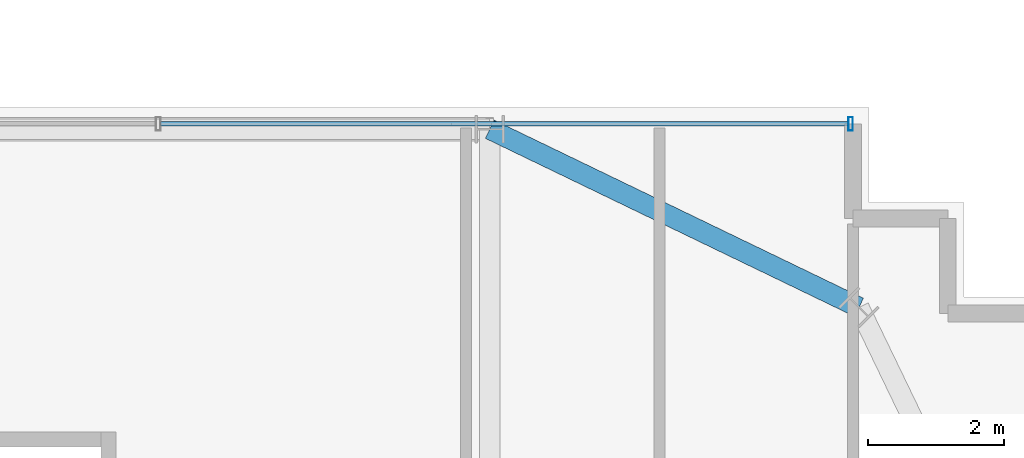
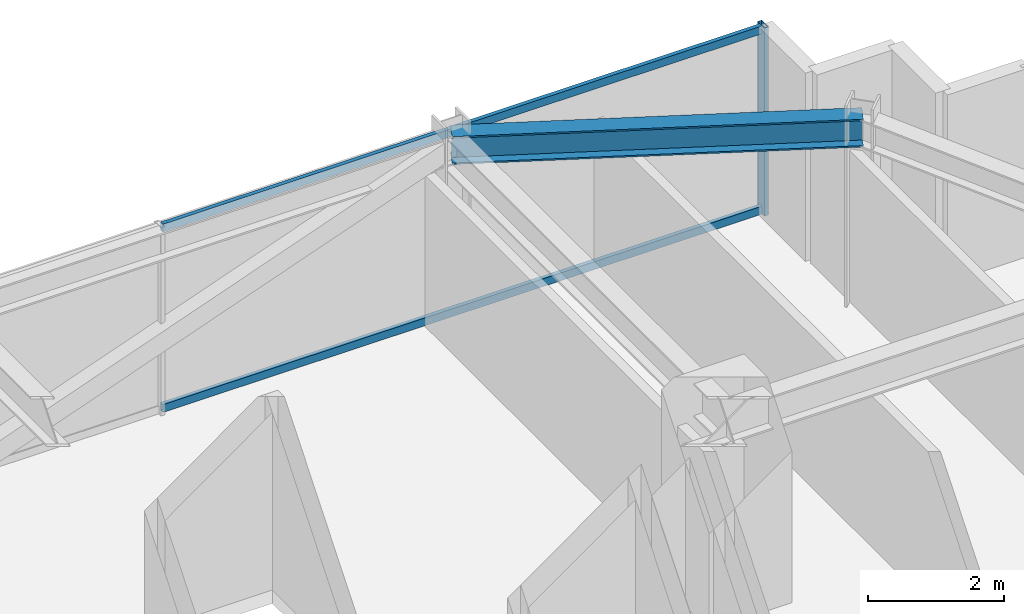
# One storey, part 33 of 42: 3 members, 1 beam, 1 element without a shape of its own.
"""IFC4 building model written with IfcOpenShell, lengths in metres."""

from ifc_helpers import new_model, si_unit, direction, frame, origin, origin_2d, place, context, subcontext, project, spatial, hollow_rectangle, i_section, extrude, source, transform, mapped, material, material_profile, profile_set, type_object, element, aggregate, save


model = new_model("IFC4")

# Units and contexts
model_context = context("Model", 3, precision=1e-05, world=origin(), true_north=direction((0.0, 1.0)))
body_context = subcontext(model_context, "Body", "Model", "MODEL_VIEW")
ifc_project = project(units=[si_unit("LENGTHUNIT", "METRE"), si_unit("AREAUNIT", "SQUARE_METRE"), si_unit("VOLUMEUNIT", "CUBIC_METRE"), si_unit("PLANEANGLEUNIT", "RADIAN"), si_unit("MASSUNIT", "GRAM", prefix="KILO")], contexts=[model_context])

# Site, building, storey
site_placement = place(None, origin())
site = spatial("IfcSite", under=ifc_project, at=site_placement, CompositionType="ELEMENT")
building_placement = place(site_placement, origin())
building = spatial("IfcBuilding", under=site, at=building_placement, Name="Nahalor Promenade Grand Hotel", CompositionType="ELEMENT")
storey_placement = place(building_placement, frame((0.0, 0.0, 61.60009765625)))
storey = spatial("IfcBuildingStorey", under=building, at=storey_placement, Name="L14", CompositionType="ELEMENT", Elevation=61.60009765625)

# Beam
ifc_material_1 = material(Name="Steel S355JR", Category="steel")
ifc_material_profile_1 = material_profile(ifc_material_1, i_section(OverallWidth=0.3, OverallDepth=0.5, WebThickness=0.0145, FlangeThickness=0.028, at=origin_2d()), Name="HEB 500")
ifc_profile_set_1 = profile_set([ifc_material_profile_1], Name="Steel S355JR")
beam_type = type_object("IfcBeamType", Name="Beam-Spandrel-HEB500", PredefinedType="SPANDREL", material=ifc_profile_set_1)
shared_shape_1 = source(origin(), body_context, "Body", "SweptSolid", [
    extrude(i_section(OverallWidth=0.3, OverallDepth=0.5, WebThickness=0.0145, FlangeThickness=0.028, at=origin_2d()), origin(), (0.0, 0.0, 1.0), 6.051513671875),
])
beam_placement = place(storey_placement, frame((17.0, 25.080078125, 3.119873046875), z_axis=(0.900608818852, -0.434630596492, 0.0), x_axis=(0.434630596492, 0.900608818852, 0.0)))
element("IfcBeam", 1, at=beam_placement, inside=storey, type_object=beam_type, Name="BM-L14-SPC-NE-1", PredefinedType="SPANDREL", context=body_context, shape_type="MappedRepresentation", body=[
    mapped(shared_shape_1, transform((0.0, 0.0, 0.0), scale=1.0)),
])

# Curtain wall, members
ifc_material_2 = material(Name="Anodised Bronze Aluminium EN AW-6063 T6", Category="aluminium")
curtain_wall_type = type_object("IfcCurtainWallType", Name="CW3 Elliptical-Void Collar Unitised Curtain Wall", PredefinedType="USERDEFINED", material=ifc_material_2)
curtain_wall_placement = place(storey_placement, origin())
curtain_wall = element("IfcCurtainWall", 2, at=curtain_wall_placement, inside=storey, type_object=curtain_wall_type, Name="L14 Curtain Wall CW-L14-N-3", ObjectType="UNITISED_CURTAIN_WALL", PredefinedType="USERDEFINED")
ifc_material_profile_2 = material_profile(ifc_material_2, hollow_rectangle(XDim=0.07, YDim=0.2, WallThickness=0.005, at=origin_2d()), Name="CWM 70x200x5")
ifc_profile_set_2 = profile_set([ifc_material_profile_2], Name="Anodised Bronze Aluminium EN AW-6063 T6")
member_type_1 = type_object("IfcMemberType", Name="CWM3 Void Collar Mullion 70x200", PredefinedType="MULLION", material=ifc_profile_set_2)
shared_shape_2 = source(origin(), body_context, "Body", "SweptSolid", [
    extrude(hollow_rectangle(XDim=0.07, YDim=0.2, WallThickness=0.005, at=origin_2d()), origin(), (0.0, 0.0, 1.0), 3.369873046875),
])
member_1_placement = place(storey_placement, frame((22.324951171875, 25.159912109375, 0.0), z_axis=(0.0, 0.0, 1.0), x_axis=(1.0, 0.0, 0.0)))
member_1 = element("IfcMember", 3, at=member_1_placement, type_object=member_type_1, Name="CW-L14-N-3 Mullion 3", PredefinedType="MULLION", context=body_context, shape_type="MappedRepresentation", body=[
    mapped(shared_shape_2, transform((0.0, 0.0, 0.0), scale=1.0)),
])
ifc_material_profile_3 = material_profile(ifc_material_2, hollow_rectangle(XDim=0.07, YDim=0.14, WallThickness=0.004, at=origin_2d()), Name="CWT 70x140x4")
ifc_profile_set_3 = profile_set([ifc_material_profile_3], Name="Anodised Bronze Aluminium EN AW-6063 T6")
member_type_2 = type_object("IfcMemberType", Name="CWT3 Void Collar Transom 70x140", PredefinedType="USERDEFINED", material=ifc_profile_set_3)
shared_shape_3 = source(origin(), body_context, "Body", "SweptSolid", [
    extrude(hollow_rectangle(XDim=0.07, YDim=0.14, WallThickness=0.004, at=origin_2d()), origin(), (0.0, 0.0, 1.0), 10.1484375),
])
member_2_placement = place(storey_placement, frame((12.1416015625, 25.159912109375, 0.06982421875), z_axis=(1.0, 0.0, 0.0), x_axis=(0.0, 1.0, 0.0)))
member_2 = element("IfcMember", 4, at=member_2_placement, type_object=member_type_2, Name="CW-L14-N-3 Transom 2-0", ObjectType="TRANSOM", PredefinedType="USERDEFINED", context=body_context, shape_type="MappedRepresentation", body=[
    mapped(shared_shape_3, transform((0.0, 0.0, 0.0), scale=1.0)),
])
member_3_placement = place(storey_placement, frame((12.1416015625, 25.159912109375, 3.2998046875), z_axis=(1.0, 0.0, 0.0), x_axis=(0.0, 1.0, 0.0)))
member_3 = element("IfcMember", 5, at=member_3_placement, type_object=member_type_2, Name="CW-L14-N-3 Transom 2-1", ObjectType="TRANSOM", PredefinedType="USERDEFINED", context=body_context, shape_type="MappedRepresentation", body=[
    mapped(shared_shape_3, transform((0.0, 0.0, 0.0), scale=1.0)),
])
aggregate(curtain_wall, [member_1, member_2, member_3])

save(model, "model.ifc")
